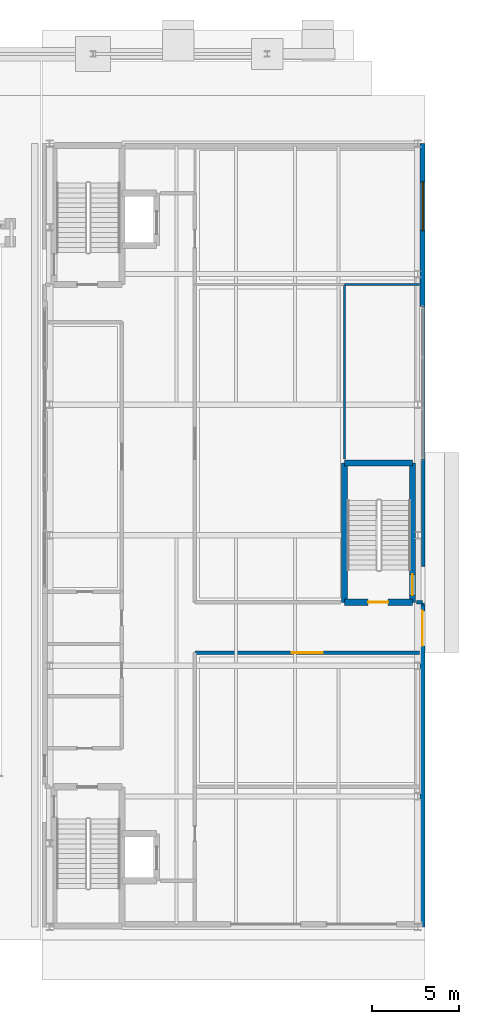
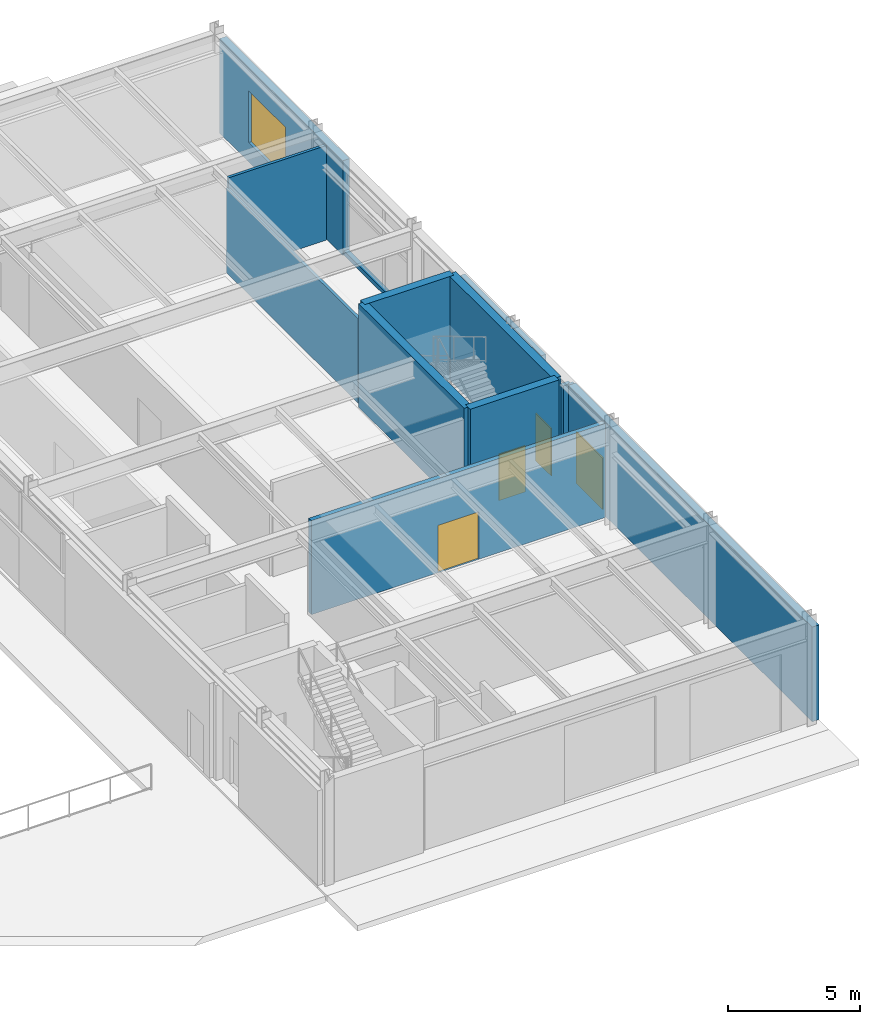
# One storey, part 16 of 21: 13 walls, 4 doors, 1 window, 5 openings.
"""IFC4 building model written with IfcOpenShell, lengths in metres."""

from ifc_helpers import new_model, si_unit, direction, frame, frame_2d, origin, place, context, subcontext, project, spatial, rectangle, extrude, material, layer, layer_set, type_object, element, fill, save


model = new_model("IFC4")

# Units and contexts
model_context = context("Model", 3, precision=1e-05, world=origin(), true_north=direction((0.0, 1.0)))
body_context = subcontext(model_context, "Body", "Model", "MODEL_VIEW")
ifc_project = project(units=[si_unit("LENGTHUNIT", "METRE"), si_unit("AREAUNIT", "SQUARE_METRE"), si_unit("VOLUMEUNIT", "CUBIC_METRE"), si_unit("PLANEANGLEUNIT", "RADIAN"), si_unit("MASSUNIT", "GRAM", prefix="KILO")], contexts=[model_context])

# Site, building, storey
site_placement = place(None, origin())
site = spatial("IfcSite", under=ifc_project, at=site_placement, CompositionType="ELEMENT")
building_placement = place(site_placement, origin())
building = spatial("IfcBuilding", under=site, at=building_placement, Name="Mersakhor Tower and Convention Hall", CompositionType="ELEMENT")
storey_placement = place(building_placement, origin())
storey = spatial("IfcBuildingStorey", under=building, at=storey_placement, Name="L00", CompositionType="ELEMENT", Elevation=0.0)

# Wall, opening, window
ifc_material_1 = material(Name="Precast concrete C45/55", Category="concrete")
ifc_layer_1 = layer(ifc_material_1, 0.300048828125)
ifc_layer_set_1 = layer_set([ifc_layer_1], Name="Precast concrete C45/55")
wall_type_1 = type_object("IfcWallType", Name="WL-EXT-300", PredefinedType="SOLIDWALL", material=ifc_layer_set_1)
wall_1_placement = place(storey_placement, frame((76.925048828125, 48.25, 0.0), z_axis=(0.0, 0.0, 1.0), x_axis=(0.0, -1.0, 0.0)))
wall_1 = element("IfcWall", 1, at=wall_1_placement, inside=storey, type_object=wall_type_1, Name="Convention L00 Precast Facade Wall E1", PredefinedType="SOLIDWALL", context=body_context, shape_type="SweptSolid", body=[
    extrude(rectangle(XDim=9.35009765625, YDim=0.300048828125, at=frame_2d((4.675048828125, 0.0))), origin(), (0.0, 0.0, 1.0), 4.389892578125),
])
opening_1_placement = place(wall_1_placement, frame((2.199951171875, 0.0, 0.89990234375)))
opening_1 = element("IfcOpeningElement", 2, at=opening_1_placement, cuts=wall_1, Name="Opening W-10", PredefinedType="OPENING", context=body_context, shape_type="SweptSolid", body=[
    extrude(rectangle(XDim=2.800048828125, YDim=2.39990234375, at=frame_2d((1.39990234375, 1.199951171875))), frame((0.0, 0.159912109375, 0.0), z_axis=(0.0, -1.0, 0.0), x_axis=(1.0, 0.0, 0.0)), (0.0, 0.0, 1.0), 0.320068359375),
])
ifc_material_2 = material(Name="Dark solar low-E glazed aluminium window", Category="aluminium")
window_type = type_object("IfcWindowType", Name="WN-CNV-280x240", PartitioningType="SINGLE_PANEL", PredefinedType="WINDOW", material=ifc_material_2)
window_placement = place(opening_1_placement, origin())
window = element("IfcWindow", 3, at=window_placement, inside=storey, type_object=window_type, Name="Convention L00 Punched Facade Window E1", OverallHeight=2.39990234375, OverallWidth=2.800048828125, PartitioningType="SINGLE_PANEL", PredefinedType="WINDOW", context=body_context, shape_type="SweptSolid", body=[
    extrude(rectangle(XDim=2.800048828125, YDim=2.39990234375, at=frame_2d((1.39990234375, 1.199951171875))), frame((0.0, 0.030029296875, 0.0), z_axis=(0.0, -1.0, 0.0), x_axis=(1.0, 0.0, 0.0)), (0.0, 0.0, 1.0), 0.06005859375),
])
fill(opening_1, window)

# Wall, opening, door
wall_2_placement = place(storey_placement, frame((76.925048828125, 21.75, 0.0), z_axis=(0.0, 0.0, 1.0), x_axis=(0.0, -1.0, 0.0)))
wall_2 = element("IfcWall", 4, at=wall_2_placement, inside=storey, type_object=wall_type_1, Name="Convention L00 Precast Facade Wall E2", PredefinedType="SOLIDWALL", context=body_context, shape_type="SweptSolid", body=[
    extrude(rectangle(XDim=18.5, YDim=0.300048828125, at=frame_2d((9.25, 0.0))), origin(), (0.0, 0.0, 1.0), 4.389892578125),
])
opening_2_placement = place(wall_2_placement, frame((0.35009765625, 0.0, 0.0)))
opening_2 = element("IfcOpeningElement", 5, at=opening_2_placement, cuts=wall_2, Name="Opening ED-01", PredefinedType="OPENING", context=body_context, shape_type="SweptSolid", body=[
    extrude(rectangle(XDim=2.0, YDim=2.39990234375, at=frame_2d((1.0, 1.199951171875))), frame((0.0, 0.159912109375, 0.0), z_axis=(0.0, -1.0, 0.0), x_axis=(1.0, 0.0, 0.0)), (0.0, 0.0, 1.0), 0.320068359375),
])
ifc_material_3 = material(Name="Thermally broken dark aluminium and safety glass", Category="aluminium")
door_type_1 = type_object("IfcDoorType", Name="DR-EXT-DBL-200x240", OperationType="NOTDEFINED", PredefinedType="DOOR", material=ifc_material_3)
door_1_placement = place(opening_2_placement, origin())
door_1 = element("IfcDoor", 6, at=door_1_placement, inside=storey, type_object=door_type_1, Name="Convention East Lobby Final Exit Discharge Door", OperationType="DOUBLE_DOOR_SINGLE_SWING", OverallHeight=2.39990234375, OverallWidth=2.0, PredefinedType="DOOR", context=body_context, shape_type="SweptSolid", body=[
    extrude(rectangle(XDim=2.0, YDim=2.39990234375, at=frame_2d((1.0, 1.199951171875))), frame((0.0, 0.02490234375, 0.0), z_axis=(0.0, -1.0, 0.0), x_axis=(1.0, 0.0, 0.0)), (0.0, 0.0, 1.0), 0.050048828125),
])
fill(opening_2, door_1)

# Walls
ifc_material_4 = material(Name="Precast concrete C40/50", Category="concrete")
ifc_layer_2 = layer(ifc_material_4, 0.199951171875)
ifc_layer_set_2 = layer_set([ifc_layer_2], Name="Precast concrete C40/50")
wall_type_2 = type_object("IfcWallType", Name="WL-PAR-200", PredefinedType="PARAPET", material=ifc_layer_set_2)
wall_3_placement = place(storey_placement, frame((76.955078125, 30.10009765625, 0.0), z_axis=(0.0, 0.0, 1.0), x_axis=(0.0, -1.0, 0.0)))
element("IfcWall", 7, at=wall_3_placement, inside=storey, type_object=wall_type_2, Name="Convention L00 Stair Core Facade Cladding EC3", PredefinedType="PARAPET", context=body_context, shape_type="SweptSolid", body=[
    extrude(rectangle(XDim=6.150146484375, YDim=0.199951171875, at=frame_2d((3.0751953125, 0.0))), origin(), (0.0, 0.0, 1.0), 4.389892578125),
])
wall_4_placement = place(storey_placement, frame((76.925048828125, 38.89990234375, 0.0), z_axis=(0.0, 0.0, 1.0), x_axis=(0.0, -1.0, 0.0)))
element("IfcWall", 8, at=wall_4_placement, inside=storey, type_object=wall_type_2, Name="Convention L00 East Curtain Wall Upstand", PredefinedType="PARAPET", context=body_context, shape_type="SweptSolid", body=[
    extrude(rectangle(XDim=8.7998046875, YDim=0.199951171875, at=frame_2d((4.39990234375, 0.0))), origin(), (0.0, 0.0, 1.0), 0.199951171875),
])
ifc_material_5 = material(Name="Gypsum board acoustic partition", Category="other")
ifc_layer_3 = layer(ifc_material_5, 0.125)
ifc_layer_set_3 = layer_set([ifc_layer_3], Name="Gypsum board acoustic partition")
wall_type_3 = type_object("IfcWallType", Name="WL-PRT-125", PredefinedType="PARTITIONING", material=ifc_layer_set_3)
wall_5_placement = place(storey_placement, frame((72.449951171875, 40.14990234375, 0.0), z_axis=(0.0, 0.0, 1.0), x_axis=(0.0, -1.0, 0.0)))
element("IfcWall", 9, at=wall_5_placement, inside=storey, type_object=wall_type_3, Name="L00 Interior Partition Wall P-045", PredefinedType="PARTITIONING", context=body_context, shape_type="SweptSolid", body=[
    extrude(rectangle(XDim=10.02490234375, YDim=0.125, at=frame_2d((5.012451171875, 0.0))), origin(), (0.0, 0.0, 1.0), 3.9140625),
])
wall_6_placement = place(storey_placement, frame((76.7509765625, 40.14990234375, 0.0), z_axis=(0.0, 0.0, 1.0), x_axis=(-1.0, 0.0, 0.0)))
element("IfcWall", 10, at=wall_6_placement, inside=storey, type_object=wall_type_3, Name="L00 Interior Partition Wall P-049", PredefinedType="PARTITIONING", context=body_context, shape_type="SweptSolid", body=[
    extrude(rectangle(XDim=4.301025390625, YDim=0.125, at=frame_2d((2.150390625, 0.0))), origin(), (0.0, 0.0, 1.0), 4.389892578125),
])
ifc_material_6 = material(Name="Acoustic concrete blockwork and gypsum board", Category="masonry")
ifc_layer_4 = layer(ifc_material_6, 0.199951171875)
ifc_layer_set_4 = layer_set([ifc_layer_4], Name="Acoustic concrete blockwork and gypsum board")
wall_type_4 = type_object("IfcWallType", Name="WL-PRT-200", PredefinedType="PARTITIONING", material=ifc_layer_set_4)
wall_7_placement = place(storey_placement, frame((76.574951171875, 21.89990234375, 0.0), z_axis=(0.0, 0.0, 1.0), x_axis=(1.0, 0.0, 0.0)))
element("IfcWall", 11, at=wall_7_placement, inside=storey, type_object=wall_type_4, Name="L00 Interior Partition Wall P-032", PredefinedType="PARTITIONING", context=body_context, shape_type="SweptSolid", body=[
    extrude(rectangle(XDim=0.35009765625, YDim=0.199951171875, at=frame_2d((0.175048828125, 0.0))), origin(), (0.0, 0.0, 1.0), 4.389892578125),
])
wall_8_placement = place(storey_placement, frame((76.925048828125, 21.8701171875, 0.0), z_axis=(0.0, 0.0, 1.0), x_axis=(0.0, -1.0, 0.0)))
element("IfcWall", 12, at=wall_8_placement, inside=storey, type_object=wall_type_4, Name="L00 Interior Partition Wall P-033", PredefinedType="PARTITIONING", context=body_context, shape_type="SweptSolid", body=[
    extrude(rectangle(XDim=0.1201171875, YDim=0.199951171875, at=frame_2d((0.06005859375, 0.0))), origin(), (0.0, 0.0, 1.0), 4.389892578125),
])

# Wall, opening, door
wall_9_placement = place(storey_placement, frame((76.7509765625, 19.0, 0.0), z_axis=(0.0, 0.0, 1.0), x_axis=(-1.0, 0.0, 0.0)))
wall_9 = element("IfcWall", 13, at=wall_9_placement, inside=storey, type_object=wall_type_4, Name="L00 Interior Partition Wall P-034", PredefinedType="PARTITIONING", context=body_context, shape_type="SweptSolid", body=[
    extrude(rectangle(XDim=12.90087890625, YDim=0.199951171875, at=frame_2d((6.450439453125, 0.0))), origin(), (0.0, 0.0, 1.0), 4.355712890625),
])
opening_3_placement = place(wall_9_placement, frame((5.550537109375, 0.0, 0.0)))
opening_3 = element("IfcOpeningElement", 14, at=opening_3_placement, cuts=wall_9, Name="Opening HD-01", PredefinedType="OPENING", context=body_context, shape_type="SweptSolid", body=[
    extrude(rectangle(XDim=1.800048828125, YDim=2.199951171875, at=frame_2d((0.89990234375, 1.10009765625))), frame((0.0, 0.10986328125, 0.0), z_axis=(0.0, -1.0, 0.0), x_axis=(1.0, 0.0, 0.0)), (0.0, 0.0, 1.0), 0.219970703125),
])
ifc_material_7 = material(Name="Fire-rated hardwood leaf and painted steel frame", Category="steel")
door_type_2 = type_object("IfcDoorType", Name="DR-INT-HALL-180x220", OperationType="NOTDEFINED", PredefinedType="DOOR", material=ifc_material_7)
door_2_placement = place(opening_3_placement, origin())
door_2 = element("IfcDoor", 15, at=door_2_placement, inside=storey, type_object=door_type_2, Name="L00 Convention Hall Concourse Corridor to South Exhibition Gallery Hall Door", OperationType="DOUBLE_DOOR_SINGLE_SWING", OverallHeight=2.199951171875, OverallWidth=1.800048828125, PredefinedType="DOOR", context=body_context, shape_type="SweptSolid", body=[
    extrude(rectangle(XDim=1.800048828125, YDim=2.199951171875, at=frame_2d((0.89990234375, 1.10009765625))), frame((0.0, 0.02490234375, 0.0), z_axis=(0.0, -1.0, 0.0), x_axis=(1.0, 0.0, 0.0)), (0.0, 0.0, 1.0), 0.050048828125),
])
fill(opening_3, door_2)

ifc_material_8 = material(Name="Concrete C50/60", Category="concrete")
ifc_layer_5 = layer(ifc_material_8, 0.35009765625)
ifc_layer_set_5 = layer_set([ifc_layer_5], Name="Concrete C50/60")
wall_type_5 = type_object("IfcWallType", Name="WL-SHR-350", PredefinedType="SHEAR", material=ifc_layer_set_5)
wall_10_placement = place(storey_placement, frame((76.35009765625, 29.89990234375, 0.0), z_axis=(0.0, 0.0, 1.0), x_axis=(0.0, -1.0, 0.0)))
wall_10 = element("IfcWall", 16, at=wall_10_placement, inside=storey, type_object=wall_type_5, Name="L00 CHST3 East Shear Wall", PredefinedType="SHEAR", context=body_context, shape_type="SweptSolid", body=[
    extrude(rectangle(XDim=8.0, YDim=0.35009765625, at=frame_2d((4.0, 0.0))), origin(), (0.0, 0.0, 1.0), 4.800048828125),
])
opening_4_placement = place(wall_10_placement, frame((6.39990234375, 0.0, 0.0)))
opening_4 = element("IfcOpeningElement", 17, at=opening_4_placement, cuts=wall_10, Name="Opening EX-01", PredefinedType="OPENING", context=body_context, shape_type="SweptSolid", body=[
    extrude(rectangle(XDim=1.199951171875, YDim=2.199951171875, at=frame_2d((0.60009765625, 1.10009765625))), frame((0.0, 0.18505859375, 0.0), z_axis=(0.0, -1.0, 0.0), x_axis=(1.0, 0.0, 0.0)), (0.0, 0.0, 1.0), 0.3701171875),
])
ifc_material_9 = material(Name="Thermally broken dark aluminium and safety glass", Category="aluminium")
door_type_3 = type_object("IfcDoorType", Name="DR-EXT-EXIT-120x220", OperationType="NOTDEFINED", PredefinedType="DOOR", material=ifc_material_9)
door_3_placement = place(opening_4_placement, origin())
door_3 = element("IfcDoor", 18, at=door_3_placement, inside=storey, type_object=door_type_3, Name="Convention Stair CH-ST3 Direct Exterior Final Exit Door", OperationType="SINGLE_SWING_LEFT", OverallHeight=2.199951171875, OverallWidth=1.199951171875, PredefinedType="DOOR", context=body_context, shape_type="SweptSolid", body=[
    extrude(rectangle(XDim=1.199951171875, YDim=2.199951171875, at=frame_2d((0.60009765625, 1.10009765625))), frame((0.0, 0.02490234375, 0.0), z_axis=(0.0, -1.0, 0.0), x_axis=(1.0, 0.0, 0.0)), (0.0, 0.0, 1.0), 0.050048828125),
])
fill(opening_4, door_3)

# Walls
wall_11_placement = place(storey_placement, frame((72.449951171875, 21.89990234375, 0.0), z_axis=(0.0, 0.0, 1.0), x_axis=(0.0, 1.0, 0.0)))
element("IfcWall", 19, at=wall_11_placement, inside=storey, type_object=wall_type_5, Name="L00 CHST3 West Shear Wall", PredefinedType="SHEAR", context=body_context, shape_type="SweptSolid", body=[
    extrude(rectangle(XDim=8.0, YDim=0.35009765625, at=frame_2d((4.0, 0.0))), origin(), (0.0, 0.0, 1.0), 4.800048828125),
])
wall_12_placement = place(storey_placement, frame((72.449951171875, 29.89990234375, 0.0), z_axis=(0.0, 0.0, 1.0), x_axis=(1.0, 0.0, 0.0)))
element("IfcWall", 20, at=wall_12_placement, inside=storey, type_object=wall_type_5, Name="L00 CHST3 North Shear Wall", PredefinedType="SHEAR", context=body_context, shape_type="SweptSolid", body=[
    extrude(rectangle(XDim=3.900146484375, YDim=0.35009765625, at=frame_2d((1.9501953125, 0.0))), origin(), (0.0, 0.0, 1.0), 4.800048828125),
])

# Wall, opening, door
wall_13_placement = place(storey_placement, frame((72.449951171875, 21.89990234375, 0.0), z_axis=(0.0, 0.0, 1.0), x_axis=(1.0, 0.0, 0.0)))
wall_13 = element("IfcWall", 21, at=wall_13_placement, inside=storey, type_object=wall_type_5, Name="L00 CHST3 South Shear Wall", PredefinedType="SHEAR", context=body_context, shape_type="SweptSolid", body=[
    extrude(rectangle(XDim=3.900146484375, YDim=0.35009765625, at=frame_2d((1.9501953125, 0.0))), origin(), (0.0, 0.0, 1.0), 4.800048828125),
])
opening_5_placement = place(wall_13_placement, frame((1.35009765625, 0.0, 0.0)))
opening_5 = element("IfcOpeningElement", 22, at=opening_5_placement, cuts=wall_13, Name="Opening SD-01", PredefinedType="OPENING", context=body_context, shape_type="SweptSolid", body=[
    extrude(rectangle(XDim=1.14990234375, YDim=2.14990234375, at=frame_2d((0.574951171875, 1.074951171875))), frame((0.0, 0.18505859375, 0.0), z_axis=(0.0, -1.0, 0.0), x_axis=(1.0, 0.0, 0.0)), (0.0, 0.0, 1.0), 0.3701171875),
])
ifc_material_10 = material(Name="Fire-rated hardwood leaf and painted steel frame", Category="steel")
door_type_4 = type_object("IfcDoorType", Name="DR-INT-STAIR-115x215", OperationType="NOTDEFINED", PredefinedType="DOOR", material=ifc_material_10)
door_4_placement = place(opening_5_placement, origin())
door_4 = element("IfcDoor", 23, at=door_4_placement, inside=storey, type_object=door_type_4, Name="L00 Convention Stair CH-ST3 Door", OperationType="SINGLE_SWING_LEFT", OverallHeight=2.14990234375, OverallWidth=1.14990234375, PredefinedType="DOOR", context=body_context, shape_type="SweptSolid", body=[
    extrude(rectangle(XDim=1.14990234375, YDim=2.14990234375, at=frame_2d((0.574951171875, 1.074951171875))), frame((0.0, 0.02490234375, 0.0), z_axis=(0.0, -1.0, 0.0), x_axis=(1.0, 0.0, 0.0)), (0.0, 0.0, 1.0), 0.050048828125),
])
fill(opening_5, door_4)

save(model, "model.ifc")
